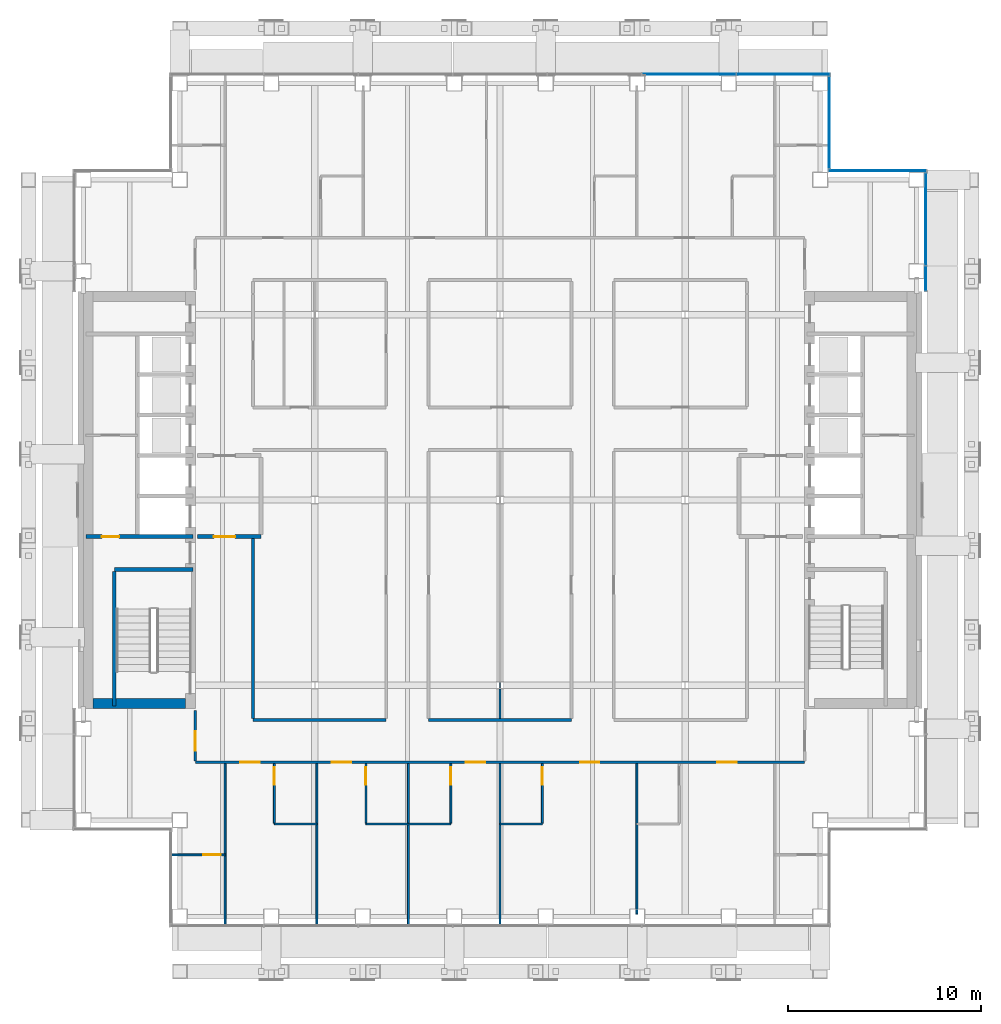
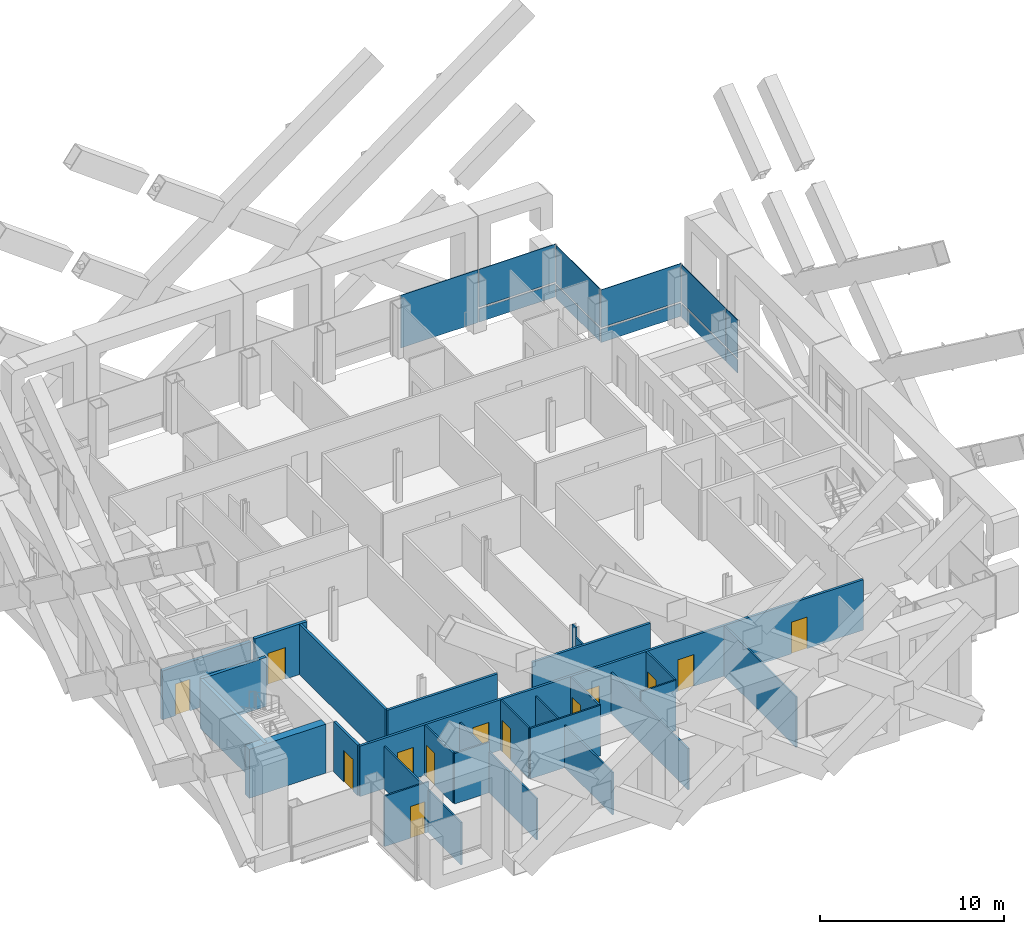
# One storey, part 13 of 25: 26 walls, 13 doors, 11 plates, 13 openings, 4 elements without a shape of their own.
"""IFC4 building model written with IfcOpenShell, lengths in metres."""

from ifc_helpers import new_model, si_unit, direction, frame, frame_2d, origin, origin_2d, place, context, subcontext, project, spatial, rectangle, extrude, material, layer, layer_set, type_object, element, fill, aggregate, save


model = new_model("IFC4")

# Units and contexts
model_context = context("Model", 3, precision=1e-05, world=origin(), true_north=direction((0.0, 1.0)))
body_context = subcontext(model_context, "Body", "Model", "MODEL_VIEW")
ifc_project = project(units=[si_unit("LENGTHUNIT", "METRE"), si_unit("AREAUNIT", "SQUARE_METRE"), si_unit("VOLUMEUNIT", "CUBIC_METRE"), si_unit("PLANEANGLEUNIT", "RADIAN"), si_unit("MASSUNIT", "GRAM", prefix="KILO")], contexts=[model_context])

# Site, building, storey
site_placement = place(None, origin())
site = spatial("IfcSite", under=ifc_project, at=site_placement, CompositionType="ELEMENT")
building_placement = place(site_placement, origin())
building = spatial("IfcBuilding", under=site, at=building_placement, Name="Cobrizo Arcos Hotel Tower", CompositionType="ELEMENT")
storey_placement = place(building_placement, frame((0.0, 0.0, 148.0)))
storey = spatial("IfcBuildingStorey", under=building, at=storey_placement, Name="L37", CompositionType="ELEMENT", Elevation=148.0)

# Curtain wall, plates
ifc_material_1 = material(Name="Aluminium 6063-T6 anodised bronze", Category="aluminium")
curtain_wall_type = type_object("IfcCurtainWallType", Name="CW-A guest facade", PredefinedType="NOTDEFINED", material=ifc_material_1)
curtain_wall_1_placement = place(storey_placement, origin())
curtain_wall_1 = element("IfcCurtainWall", 1, at=curtain_wall_1_placement, inside=storey, type_object=curtain_wall_type, Name="CW-A L37 E face", PredefinedType="NOTDEFINED")
ifc_material_2 = material(Name="Glass clear laminated low-e", Category="glass")
ifc_layer_1 = layer(ifc_material_2, 0.0400390625)
ifc_layer_set_1 = layer_set([ifc_layer_1], Name="CW-A glass panel")
plate_type_1 = type_object("IfcPlateType", Name="CW-A glass panel", PredefinedType="CURTAIN_PANEL", material=ifc_layer_set_1)
plate_1_placement = place(storey_placement, frame((22.074951171875, 11.486328125, 0.990234375), z_axis=(0.0, 0.0, 1.0), x_axis=(0.0, 1.0, 0.0)))
plate_1 = element("IfcPlate", 2, at=plate_1_placement, type_object=plate_type_1, Name="CW-A glass panel 1347", PredefinedType="CURTAIN_PANEL", context=body_context, shape_type="SweptSolid", body=[
    extrude(rectangle(XDim=1.2529296875, YDim=0.0400390625, at=origin_2d()), origin(), (0.0, 0.0, 1.0), 2.510009765625),
])
plate_2_placement = place(storey_placement, frame((22.074951171875, 14.556396484375, 0.990234375), z_axis=(0.0, 0.0, 1.0), x_axis=(0.0, 1.0, 0.0)))
plate_2 = element("IfcPlate", 3, at=plate_2_placement, type_object=plate_type_1, Name="CW-A glass panel 1348", PredefinedType="CURTAIN_PANEL", context=body_context, shape_type="SweptSolid", body=[
    extrude(rectangle(XDim=4.76708984375, YDim=0.0400390625, at=origin_2d()), origin(), (0.0, 0.0, 1.0), 2.510009765625),
])

# Curtain wall, plate
curtain_wall_2_placement = place(storey_placement, origin())
curtain_wall_2 = element("IfcCurtainWall", 4, at=curtain_wall_2_placement, inside=storey, type_object=curtain_wall_type, Name="CW-A L37 N face", PredefinedType="NOTDEFINED")
plate_3_placement = place(storey_placement, frame((19.574951171875, 17.074951171875, 0.990234375), z_axis=(0.0, 0.0, 1.0), x_axis=(-1.0, 0.0, 0.0)))
plate_3 = element("IfcPlate", 5, at=plate_3_placement, type_object=plate_type_1, Name="CW-A glass panel 1349", PredefinedType="CURTAIN_PANEL", context=body_context, shape_type="SweptSolid", body=[
    extrude(rectangle(XDim=5.030029296875, YDim=0.0400390625, at=origin_2d()), origin(), (0.0, 0.0, 1.0), 2.510009765625),
])

curtain_wall_3_placement = place(storey_placement, origin())
curtain_wall_3 = element("IfcCurtainWall", 6, at=curtain_wall_3_placement, inside=storey, type_object=curtain_wall_type, Name="CW-A L37 E face", PredefinedType="NOTDEFINED")
plate_4_placement = place(storey_placement, frame((17.074951171875, 19.574951171875, 0.990234375), z_axis=(0.0, 0.0, 1.0), x_axis=(0.0, 1.0, 0.0)))
plate_4 = element("IfcPlate", 7, at=plate_4_placement, type_object=plate_type_1, Name="CW-A glass panel 1350", PredefinedType="CURTAIN_PANEL", context=body_context, shape_type="SweptSolid", body=[
    extrude(rectangle(XDim=4.72998046875, YDim=0.0400390625, at=origin_2d()), origin(), (0.0, 0.0, 1.0), 2.510009765625),
])

curtain_wall_4_placement = place(storey_placement, origin())
curtain_wall_4 = element("IfcCurtainWall", 8, at=curtain_wall_4_placement, inside=storey, type_object=curtain_wall_type, Name="CW-A L37 N face", PredefinedType="NOTDEFINED")
plate_5_placement = place(storey_placement, frame((14.68505859375, 22.074951171875, 0.990234375), z_axis=(0.0, 0.0, 1.0), x_axis=(-1.0, 0.0, 0.0)))
plate_5 = element("IfcPlate", 9, at=plate_5_placement, type_object=plate_type_1, Name="CW-A glass panel 1351", PredefinedType="CURTAIN_PANEL", context=body_context, shape_type="SweptSolid", body=[
    extrude(rectangle(XDim=4.81005859375, YDim=0.0400390625, at=origin_2d()), origin(), (0.0, 0.0, 1.0), 2.510009765625),
])

# Plate
ifc_material_3 = material(Name="Aluminium composite panel pale metal", Category="aluminium")
ifc_layer_2 = layer(ifc_material_3, 0.0400390625)
ifc_layer_set_2 = layer_set([ifc_layer_2], Name="CW-A spandrel panel")
plate_type_2 = type_object("IfcPlateType", Name="CW-A spandrel panel", PredefinedType="CURTAIN_PANEL", material=ifc_layer_set_2)
plate_6_placement = place(storey_placement, frame((22.074951171875, 11.486328125, 0.0), z_axis=(0.0, 0.0, 1.0), x_axis=(0.0, 1.0, 0.0)))
plate_6 = element("IfcPlate", 10, at=plate_6_placement, type_object=plate_type_2, Name="CW-A spandrel panel 1347", PredefinedType="CURTAIN_PANEL", context=body_context, shape_type="SweptSolid", body=[
    extrude(rectangle(XDim=1.2529296875, YDim=0.0400390625, at=origin_2d()), origin(), (0.0, 0.0, 1.0), 0.8701171875),
])

plate_7_placement = place(storey_placement, frame((22.074951171875, 14.556396484375, 0.0), z_axis=(0.0, 0.0, 1.0), x_axis=(0.0, 1.0, 0.0)))
plate_7 = element("IfcPlate", 11, at=plate_7_placement, type_object=plate_type_2, Name="CW-A spandrel panel 1348", PredefinedType="CURTAIN_PANEL", context=body_context, shape_type="SweptSolid", body=[
    extrude(rectangle(XDim=4.76708984375, YDim=0.0400390625, at=origin_2d()), origin(), (0.0, 0.0, 1.0), 0.8701171875),
])

aggregate(curtain_wall_1, [plate_6, plate_1, plate_7, plate_2])

plate_8_placement = place(storey_placement, frame((19.574951171875, 17.074951171875, 0.0), z_axis=(0.0, 0.0, 1.0), x_axis=(-1.0, 0.0, 0.0)))
plate_8 = element("IfcPlate", 12, at=plate_8_placement, type_object=plate_type_2, Name="CW-A spandrel panel 1349", PredefinedType="CURTAIN_PANEL", context=body_context, shape_type="SweptSolid", body=[
    extrude(rectangle(XDim=5.030029296875, YDim=0.0400390625, at=origin_2d()), origin(), (0.0, 0.0, 1.0), 0.8701171875),
])

aggregate(curtain_wall_2, [plate_8, plate_3])

plate_9_placement = place(storey_placement, frame((17.074951171875, 19.574951171875, 0.0), z_axis=(0.0, 0.0, 1.0), x_axis=(0.0, 1.0, 0.0)))
plate_9 = element("IfcPlate", 13, at=plate_9_placement, type_object=plate_type_2, Name="CW-A spandrel panel 1350", PredefinedType="CURTAIN_PANEL", context=body_context, shape_type="SweptSolid", body=[
    extrude(rectangle(XDim=4.72998046875, YDim=0.0400390625, at=origin_2d()), origin(), (0.0, 0.0, 1.0), 0.8701171875),
])

aggregate(curtain_wall_3, [plate_9, plate_4])

plate_10_placement = place(storey_placement, frame((14.68505859375, 22.074951171875, 0.0), z_axis=(0.0, 0.0, 1.0), x_axis=(-1.0, 0.0, 0.0)))
plate_10 = element("IfcPlate", 14, at=plate_10_placement, type_object=plate_type_2, Name="CW-A spandrel panel 1351", PredefinedType="CURTAIN_PANEL", context=body_context, shape_type="SweptSolid", body=[
    extrude(rectangle(XDim=4.81005859375, YDim=0.0400390625, at=origin_2d()), origin(), (0.0, 0.0, 1.0), 0.8701171875),
])

plate_11_placement = place(storey_placement, frame((9.800048828125, 22.074951171875, 0.0), z_axis=(0.0, 0.0, 1.0), x_axis=(-1.0, 0.0, 0.0)))
plate_11 = element("IfcPlate", 15, at=plate_11_placement, type_object=plate_type_2, Name="CW-A spandrel panel 1352", PredefinedType="CURTAIN_PANEL", context=body_context, shape_type="SweptSolid", body=[
    extrude(rectangle(XDim=4.840087890625, YDim=0.0400390625, at=origin_2d()), origin(), (0.0, 0.0, 1.0), 3.5),
])

aggregate(curtain_wall_4, [plate_10, plate_5, plate_11])

# Wall, openings, doors
ifc_material_4 = material(Name="Gypsum board partition")
ifc_layer_3 = layer(ifc_material_4, 0.14990234375)
ifc_layer_set_3 = layer_set([ifc_layer_3], Name="Corridor wall EI 60 150")
wall_type_1 = type_object("IfcWallType", Name="Corridor wall EI 60 150", PredefinedType="PARTITIONING", material=ifc_layer_set_3)
wall_1_placement = place(storey_placement, frame((-15.800048828125, -13.60009765625, 0.0), z_axis=(0.0, 0.0, 1.0), x_axis=(1.0, 0.0, 0.0)))
wall_1 = element("IfcWall", 16, at=wall_1_placement, inside=storey, type_object=wall_type_1, Name="Partition 007", PredefinedType="PARTITIONING", context=body_context, shape_type="SweptSolid", body=[
    extrude(rectangle(XDim=31.60009765625, YDim=0.14990234375, at=frame_2d((15.800048828125, 0.0))), origin(), (0.0, 0.0, 1.0), 3.35009765625),
])
opening_1_placement = place(wall_1_placement, frame((2.343017578125, 0.0, 0.0)))
opening_1 = element("IfcOpeningElement", 17, at=opening_1_placement, cuts=wall_1, Name="Opening GD-04", PredefinedType="OPENING", context=body_context, shape_type="SweptSolid", body=[
    extrude(rectangle(XDim=1.0, YDim=2.10009765625, at=frame_2d((0.5, 1.050048828125))), frame((0.0, 0.0869140625, 0.0), z_axis=(0.0, -1.0, 0.0), x_axis=(1.0, 0.0, 0.0)), (0.0, 0.0, 1.0), 0.173828125),
])
opening_2_placement = place(wall_1_placement, frame((7.0849609375, 0.0, 0.0)))
opening_2 = element("IfcOpeningElement", 18, at=opening_2_placement, cuts=wall_1, Name="Opening GD-05", PredefinedType="OPENING", context=body_context, shape_type="SweptSolid", body=[
    extrude(rectangle(XDim=1.0, YDim=2.10009765625, at=frame_2d((0.5, 1.050048828125))), frame((0.0, 0.0869140625, 0.0), z_axis=(0.0, -1.0, 0.0), x_axis=(1.0, 0.0, 0.0)), (0.0, 0.0, 1.0), 0.173828125),
])
opening_3_placement = place(wall_1_placement, frame((14.029052734375, 0.0, 0.0)))
opening_3 = element("IfcOpeningElement", 19, at=opening_3_placement, cuts=wall_1, Name="Opening GD-06", PredefinedType="OPENING", context=body_context, shape_type="SweptSolid", body=[
    extrude(rectangle(XDim=1.0, YDim=2.10009765625, at=frame_2d((0.5, 1.050048828125))), frame((0.0, 0.0869140625, 0.0), z_axis=(0.0, -1.0, 0.0), x_axis=(1.0, 0.0, 0.0)), (0.0, 0.0, 1.0), 0.173828125),
])
opening_4_placement = place(wall_1_placement, frame((19.95703125, 0.0, 0.0)))
opening_4 = element("IfcOpeningElement", 20, at=opening_4_placement, cuts=wall_1, Name="Opening GD-07", PredefinedType="OPENING", context=body_context, shape_type="SweptSolid", body=[
    extrude(rectangle(XDim=1.0, YDim=2.10009765625, at=frame_2d((0.5, 1.050048828125))), frame((0.0, 0.0869140625, 0.0), z_axis=(0.0, -1.0, 0.0), x_axis=(1.0, 0.0, 0.0)), (0.0, 0.0, 1.0), 0.173828125),
])
opening_5_placement = place(wall_1_placement, frame((27.072021484375, 0.0, 0.0)))
opening_5 = element("IfcOpeningElement", 21, at=opening_5_placement, cuts=wall_1, Name="Opening GD-08", PredefinedType="OPENING", context=body_context, shape_type="SweptSolid", body=[
    extrude(rectangle(XDim=1.0, YDim=2.10009765625, at=frame_2d((0.5, 1.050048828125))), frame((0.0, 0.0869140625, 0.0), z_axis=(0.0, -1.0, 0.0), x_axis=(1.0, 0.0, 0.0)), (0.0, 0.0, 1.0), 0.173828125),
])
ifc_material_5 = material(Name="Timber door leaf", Category="wood")
door_type_1 = type_object("IfcDoorType", Name="Guest room door FD30S 1000x2100", OperationType="SINGLE_SWING_LEFT", PredefinedType="DOOR", material=ifc_material_5)
door_1_placement = place(opening_1_placement, origin())
door_1 = element("IfcDoor", 22, at=door_1_placement, inside=storey, type_object=door_type_1, Name="Door GD-04", OperationType="SINGLE_SWING_LEFT", OverallHeight=2.10009765625, OverallWidth=1.0, PredefinedType="DOOR", context=body_context, shape_type="SweptSolid", body=[
    extrude(rectangle(XDim=1.0, YDim=2.10009765625, at=frame_2d((0.5, 1.050048828125))), frame((0.0, 0.02490234375, 0.0), z_axis=(0.0, -1.0, 0.0), x_axis=(1.0, 0.0, 0.0)), (0.0, 0.0, 1.0), 0.050048828125),
])
fill(opening_1, door_1)
door_2_placement = place(opening_2_placement, origin())
door_2 = element("IfcDoor", 23, at=door_2_placement, inside=storey, type_object=door_type_1, Name="Door GD-05", OperationType="SINGLE_SWING_LEFT", OverallHeight=2.10009765625, OverallWidth=1.0, PredefinedType="DOOR", context=body_context, shape_type="SweptSolid", body=[
    extrude(rectangle(XDim=1.0, YDim=2.10009765625, at=frame_2d((0.5, 1.050048828125))), frame((0.0, 0.02490234375, 0.0), z_axis=(0.0, -1.0, 0.0), x_axis=(1.0, 0.0, 0.0)), (0.0, 0.0, 1.0), 0.050048828125),
])
fill(opening_2, door_2)
door_3_placement = place(opening_3_placement, origin())
door_3 = element("IfcDoor", 24, at=door_3_placement, inside=storey, type_object=door_type_1, Name="Door GD-06", OperationType="SINGLE_SWING_RIGHT", OverallHeight=2.10009765625, OverallWidth=1.0, PredefinedType="DOOR", context=body_context, shape_type="SweptSolid", body=[
    extrude(rectangle(XDim=1.0, YDim=2.10009765625, at=frame_2d((0.5, 1.050048828125))), frame((0.0, 0.02490234375, 0.0), z_axis=(0.0, -1.0, 0.0), x_axis=(1.0, 0.0, 0.0)), (0.0, 0.0, 1.0), 0.050048828125),
])
fill(opening_3, door_3)
door_4_placement = place(opening_4_placement, origin())
door_4 = element("IfcDoor", 25, at=door_4_placement, inside=storey, type_object=door_type_1, Name="Door GD-07", OperationType="SINGLE_SWING_RIGHT", OverallHeight=2.10009765625, OverallWidth=1.0, PredefinedType="DOOR", context=body_context, shape_type="SweptSolid", body=[
    extrude(rectangle(XDim=1.0, YDim=2.10009765625, at=frame_2d((0.5, 1.050048828125))), frame((0.0, 0.02490234375, 0.0), z_axis=(0.0, -1.0, 0.0), x_axis=(1.0, 0.0, 0.0)), (0.0, 0.0, 1.0), 0.050048828125),
])
fill(opening_4, door_4)
door_5_placement = place(opening_5_placement, origin())
door_5 = element("IfcDoor", 26, at=door_5_placement, inside=storey, type_object=door_type_1, Name="Door GD-08", OperationType="SINGLE_SWING_LEFT", OverallHeight=2.10009765625, OverallWidth=1.0, PredefinedType="DOOR", context=body_context, shape_type="SweptSolid", body=[
    extrude(rectangle(XDim=1.0, YDim=2.10009765625, at=frame_2d((0.5, 1.050048828125))), frame((0.0, 0.02490234375, 0.0), z_axis=(0.0, -1.0, 0.0), x_axis=(1.0, 0.0, 0.0)), (0.0, 0.0, 1.0), 0.050048828125),
])
fill(opening_5, door_5)

# Walls
wall_2_placement = place(storey_placement, frame((-12.800048828125, -11.39990234375, 0.0), z_axis=(0.0, 0.0, 1.0), x_axis=(1.0, 0.0, 0.0)))
element("IfcWall", 27, at=wall_2_placement, inside=storey, type_object=wall_type_1, Name="Partition 008", PredefinedType="PARTITIONING", context=body_context, shape_type="SweptSolid", body=[
    extrude(rectangle(XDim=6.900146484375, YDim=0.14990234375, at=frame_2d((3.4501953125, 0.0))), origin(), (0.0, 0.0, 1.0), 3.35009765625),
])
wall_3_placement = place(storey_placement, frame((-3.699951171875, -11.39990234375, 0.0), z_axis=(0.0, 0.0, 1.0), x_axis=(1.0, 0.0, 0.0)))
element("IfcWall", 28, at=wall_3_placement, inside=storey, type_object=wall_type_1, Name="Partition 009", PredefinedType="PARTITIONING", context=body_context, shape_type="SweptSolid", body=[
    extrude(rectangle(XDim=7.39990234375, YDim=0.14990234375, at=frame_2d((3.699951171875, 0.0))), origin(), (0.0, 0.0, 1.0), 3.35009765625),
])

# Wall, opening, door
wall_4_placement = place(storey_placement, frame((-15.800048828125, -13.52490234375, 0.0), z_axis=(0.0, 0.0, 1.0), x_axis=(0.0, 1.0, 0.0)))
wall_4 = element("IfcWall", 29, at=wall_4_placement, inside=storey, type_object=wall_type_1, Name="Partition 049", PredefinedType="PARTITIONING", context=body_context, shape_type="SweptSolid", body=[
    extrude(rectangle(XDim=2.60498046875, YDim=0.14990234375, at=frame_2d((1.302490234375, 0.0))), origin(), (0.0, 0.0, 1.0), 3.35009765625),
])
opening_6_placement = place(wall_4_placement, frame((0.52490234375, 0.0, 0.0)))
opening_6 = element("IfcOpeningElement", 30, at=opening_6_placement, cuts=wall_4, Name="Opening GD-09", PredefinedType="OPENING", context=body_context, shape_type="SweptSolid", body=[
    extrude(rectangle(XDim=1.0, YDim=2.10009765625, at=frame_2d((0.5, 1.050048828125))), frame((0.0, 0.0869140625, 0.0), z_axis=(0.0, -1.0, 0.0), x_axis=(1.0, 0.0, 0.0)), (0.0, 0.0, 1.0), 0.173828125),
])
door_6_placement = place(opening_6_placement, origin())
door_6 = element("IfcDoor", 31, at=door_6_placement, inside=storey, type_object=door_type_1, Name="Door GD-09", OperationType="SINGLE_SWING_RIGHT", OverallHeight=2.10009765625, OverallWidth=1.0, PredefinedType="DOOR", context=body_context, shape_type="SweptSolid", body=[
    extrude(rectangle(XDim=1.0, YDim=2.10009765625, at=frame_2d((0.5, 1.050048828125))), frame((0.0, 0.02490234375, 0.0), z_axis=(0.0, -1.0, 0.0), x_axis=(1.0, 0.0, 0.0)), (0.0, 0.0, 1.0), 0.050048828125),
])
fill(opening_6, door_6)

# Wall
wall_5_placement = place(storey_placement, frame((-12.800048828125, -11.324951171875, 0.0), z_axis=(0.0, 0.0, 1.0), x_axis=(0.0, 1.0, 0.0)))
element("IfcWall", 32, at=wall_5_placement, inside=storey, type_object=wall_type_1, Name="Partition 053", PredefinedType="PARTITIONING", context=body_context, shape_type="SweptSolid", body=[
    extrude(rectangle(XDim=9.324951171875, YDim=0.14990234375, at=frame_2d((4.66259765625, 0.0))), origin(), (0.0, 0.0, 1.0), 3.35009765625),
])

# Wall, opening, door
ifc_layer_4 = layer(ifc_material_4, 0.10009765625)
ifc_layer_set_4 = layer_set([ifc_layer_4], Name="Partition EI 30 100")
wall_type_2 = type_object("IfcWallType", Name="Partition EI 30 100", PredefinedType="PARTITIONING", material=ifc_layer_set_4)
wall_6_placement = place(storey_placement, frame((-17.030029296875, -18.39990234375, 0.0), z_axis=(0.0, 0.0, 1.0), x_axis=(1.0, 0.0, 0.0)))
wall_6 = element("IfcWall", 33, at=wall_6_placement, inside=storey, type_object=wall_type_2, Name="Partition 001", PredefinedType="PARTITIONING", context=body_context, shape_type="SweptSolid", body=[
    extrude(rectangle(XDim=2.780029296875, YDim=0.10009765625, at=frame_2d((1.39013671875, 0.0))), origin(), (0.0, 0.0, 1.0), 3.35009765625),
])
opening_7_placement = place(wall_6_placement, frame((1.639892578125, 0.0, 0.0)))
opening_7 = element("IfcOpeningElement", 34, at=opening_7_placement, cuts=wall_6, Name="Opening ED-09", PredefinedType="OPENING", context=body_context, shape_type="SweptSolid", body=[
    extrude(rectangle(XDim=0.89990234375, YDim=2.10009765625, at=frame_2d((0.449951171875, 1.050048828125))), frame((0.0, 0.06201171875, 0.0), z_axis=(0.0, -1.0, 0.0), x_axis=(1.0, 0.0, 0.0)), (0.0, 0.0, 1.0), 0.1240234375),
])
door_type_2 = type_object("IfcDoorType", Name="En-suite door 900x2100", OperationType="SINGLE_SWING_LEFT", PredefinedType="DOOR", material=ifc_material_5)
door_7_placement = place(opening_7_placement, origin())
door_7 = element("IfcDoor", 35, at=door_7_placement, inside=storey, type_object=door_type_2, Name="Door ED-09", OperationType="SINGLE_SWING_LEFT", OverallHeight=2.10009765625, OverallWidth=0.89990234375, PredefinedType="DOOR", context=body_context, shape_type="SweptSolid", body=[
    extrude(rectangle(XDim=0.89990234375, YDim=2.10009765625, at=frame_2d((0.449951171875, 1.050048828125))), frame((0.0, 0.02490234375, 0.0), z_axis=(0.0, -1.0, 0.0), x_axis=(1.0, 0.0, 0.0)), (0.0, 0.0, 1.0), 0.050048828125),
])
fill(opening_7, door_7)

# Walls
wall_7_placement = place(storey_placement, frame((-11.699951171875, -16.800048828125, 0.0), z_axis=(0.0, 0.0, 1.0), x_axis=(1.0, 0.0, 0.0)))
element("IfcWall", 36, at=wall_7_placement, inside=storey, type_object=wall_type_2, Name="Partition 003", PredefinedType="PARTITIONING", context=body_context, shape_type="SweptSolid", body=[
    extrude(rectangle(XDim=2.199951171875, YDim=0.10009765625, at=frame_2d((1.10009765625, 0.0))), origin(), (0.0, 0.0, 1.0), 3.35009765625),
])
wall_8_placement = place(storey_placement, frame((-6.949951171875, -16.800048828125, 0.0), z_axis=(0.0, 0.0, 1.0), x_axis=(1.0, 0.0, 0.0)))
element("IfcWall", 37, at=wall_8_placement, inside=storey, type_object=wall_type_2, Name="Partition 004", PredefinedType="PARTITIONING", context=body_context, shape_type="SweptSolid", body=[
    extrude(rectangle(XDim=4.39990234375, YDim=0.10009765625, at=frame_2d((2.199951171875, 0.0))), origin(), (0.0, 0.0, 1.0), 3.35009765625),
])
wall_9_placement = place(storey_placement, frame((0.0, -16.800048828125, 0.0), z_axis=(0.0, 0.0, 1.0), x_axis=(1.0, 0.0, 0.0)))
element("IfcWall", 38, at=wall_9_placement, inside=storey, type_object=wall_type_2, Name="Partition 005", PredefinedType="PARTITIONING", context=body_context, shape_type="SweptSolid", body=[
    extrude(rectangle(XDim=2.199951171875, YDim=0.10009765625, at=frame_2d((1.10009765625, 0.0))), origin(), (0.0, 0.0, 1.0), 3.35009765625),
])
wall_10_placement = place(storey_placement, frame((-14.25, -22.030029296875, 0.0), z_axis=(0.0, 0.0, 1.0), x_axis=(0.0, 1.0, 0.0)))
element("IfcWall", 39, at=wall_10_placement, inside=storey, type_object=wall_type_2, Name="Partition 051", PredefinedType="PARTITIONING", context=body_context, shape_type="SweptSolid", body=[
    extrude(rectangle(XDim=8.35498046875, YDim=0.10009765625, at=frame_2d((4.177490234375, 0.0))), origin(), (0.0, 0.0, 1.0), 2.81689453125),
])

# Wall, opening, door
wall_11_placement = place(storey_placement, frame((-11.699951171875, -16.75, 0.0), z_axis=(0.0, 0.0, 1.0), x_axis=(0.0, 1.0, 0.0)))
wall_11 = element("IfcWall", 40, at=wall_11_placement, inside=storey, type_object=wall_type_2, Name="Partition 057", PredefinedType="PARTITIONING", context=body_context, shape_type="SweptSolid", body=[
    extrude(rectangle(XDim=3.074951171875, YDim=0.10009765625, at=frame_2d((1.53759765625, 0.0))), origin(), (0.0, 0.0, 1.0), 3.35009765625),
])
opening_8_placement = place(wall_11_placement, frame((1.99609375, 0.0, 0.0)))
opening_8 = element("IfcOpeningElement", 41, at=opening_8_placement, cuts=wall_11, Name="Opening ED-04", PredefinedType="OPENING", context=body_context, shape_type="SweptSolid", body=[
    extrude(rectangle(XDim=0.89990234375, YDim=2.10009765625, at=frame_2d((0.449951171875, 1.050048828125))), frame((0.0, 0.06201171875, 0.0), z_axis=(0.0, -1.0, 0.0), x_axis=(1.0, 0.0, 0.0)), (0.0, 0.0, 1.0), 0.1240234375),
])
door_8_placement = place(opening_8_placement, origin())
door_8 = element("IfcDoor", 42, at=door_8_placement, inside=storey, type_object=door_type_2, Name="Door ED-04", OperationType="SINGLE_SWING_RIGHT", OverallHeight=2.10009765625, OverallWidth=0.89990234375, PredefinedType="DOOR", context=body_context, shape_type="SweptSolid", body=[
    extrude(rectangle(XDim=0.89990234375, YDim=2.10009765625, at=frame_2d((0.449951171875, 1.050048828125))), frame((0.0, 0.02490234375, 0.0), z_axis=(0.0, -1.0, 0.0), x_axis=(1.0, 0.0, 0.0)), (0.0, 0.0, 1.0), 0.050048828125),
])
fill(opening_8, door_8)

# Wall
wall_12_placement = place(storey_placement, frame((-9.5, -22.030029296875, 0.0), z_axis=(0.0, 0.0, 1.0), x_axis=(0.0, 1.0, 0.0)))
element("IfcWall", 43, at=wall_12_placement, inside=storey, type_object=wall_type_2, Name="Partition 062", PredefinedType="PARTITIONING", context=body_context, shape_type="SweptSolid", body=[
    extrude(rectangle(XDim=8.35498046875, YDim=0.10009765625, at=frame_2d((4.177490234375, 0.0))), origin(), (0.0, 0.0, 1.0), 2.72802734375),
])

# Wall, opening, door
wall_13_placement = place(storey_placement, frame((-6.949951171875, -16.75, 0.0), z_axis=(0.0, 0.0, 1.0), x_axis=(0.0, 1.0, 0.0)))
wall_13 = element("IfcWall", 44, at=wall_13_placement, inside=storey, type_object=wall_type_2, Name="Partition 065", PredefinedType="PARTITIONING", context=body_context, shape_type="SweptSolid", body=[
    extrude(rectangle(XDim=3.074951171875, YDim=0.10009765625, at=frame_2d((1.53759765625, 0.0))), origin(), (0.0, 0.0, 1.0), 3.35009765625),
])
opening_9_placement = place(wall_13_placement, frame((1.99609375, 0.0, 0.0)))
opening_9 = element("IfcOpeningElement", 45, at=opening_9_placement, cuts=wall_13, Name="Opening ED-05", PredefinedType="OPENING", context=body_context, shape_type="SweptSolid", body=[
    extrude(rectangle(XDim=0.89990234375, YDim=2.10009765625, at=frame_2d((0.449951171875, 1.050048828125))), frame((0.0, 0.06201171875, 0.0), z_axis=(0.0, -1.0, 0.0), x_axis=(1.0, 0.0, 0.0)), (0.0, 0.0, 1.0), 0.1240234375),
])
door_9_placement = place(opening_9_placement, origin())
door_9 = element("IfcDoor", 46, at=door_9_placement, inside=storey, type_object=door_type_2, Name="Door ED-05", OperationType="SINGLE_SWING_RIGHT", OverallHeight=2.10009765625, OverallWidth=0.89990234375, PredefinedType="DOOR", context=body_context, shape_type="SweptSolid", body=[
    extrude(rectangle(XDim=0.89990234375, YDim=2.10009765625, at=frame_2d((0.449951171875, 1.050048828125))), frame((0.0, 0.02490234375, 0.0), z_axis=(0.0, -1.0, 0.0), x_axis=(1.0, 0.0, 0.0)), (0.0, 0.0, 1.0), 0.050048828125),
])
fill(opening_9, door_9)

# Walls
wall_14_placement = place(storey_placement, frame((-4.75, -22.030029296875, 0.0), z_axis=(0.0, 0.0, 1.0), x_axis=(0.0, 1.0, 0.0)))
element("IfcWall", 47, at=wall_14_placement, inside=storey, type_object=wall_type_2, Name="Partition 068", PredefinedType="PARTITIONING", context=body_context, shape_type="SweptSolid", body=[
    extrude(rectangle(XDim=5.179931640625, YDim=0.10009765625, at=frame_2d((2.58984375, 0.0))), origin(), (0.0, 0.0, 1.0), 2.81689453125),
])
wall_15_placement = place(storey_placement, frame((-4.75, -16.75, 0.0), z_axis=(0.0, 0.0, 1.0), x_axis=(0.0, 1.0, 0.0)))
element("IfcWall", 48, at=wall_15_placement, inside=storey, type_object=wall_type_2, Name="Partition 069", PredefinedType="PARTITIONING", context=body_context, shape_type="SweptSolid", body=[
    extrude(rectangle(XDim=3.074951171875, YDim=0.10009765625, at=frame_2d((1.53759765625, 0.0))), origin(), (0.0, 0.0, 1.0), 2.81689453125),
])

# Wall, opening, door
wall_16_placement = place(storey_placement, frame((-2.550048828125, -16.75, 0.0), z_axis=(0.0, 0.0, 1.0), x_axis=(0.0, 1.0, 0.0)))
wall_16 = element("IfcWall", 49, at=wall_16_placement, inside=storey, type_object=wall_type_2, Name="Partition 072", PredefinedType="PARTITIONING", context=body_context, shape_type="SweptSolid", body=[
    extrude(rectangle(XDim=3.074951171875, YDim=0.10009765625, at=frame_2d((1.53759765625, 0.0))), origin(), (0.0, 0.0, 1.0), 3.35009765625),
])
opening_10_placement = place(wall_16_placement, frame((1.99609375, 0.0, 0.0)))
opening_10 = element("IfcOpeningElement", 50, at=opening_10_placement, cuts=wall_16, Name="Opening ED-06", PredefinedType="OPENING", context=body_context, shape_type="SweptSolid", body=[
    extrude(rectangle(XDim=0.89990234375, YDim=2.10009765625, at=frame_2d((0.449951171875, 1.050048828125))), frame((0.0, 0.06201171875, 0.0), z_axis=(0.0, -1.0, 0.0), x_axis=(1.0, 0.0, 0.0)), (0.0, 0.0, 1.0), 0.1240234375),
])
door_10_placement = place(opening_10_placement, origin())
door_10 = element("IfcDoor", 51, at=door_10_placement, inside=storey, type_object=door_type_2, Name="Door ED-06", OperationType="SINGLE_SWING_RIGHT", OverallHeight=2.10009765625, OverallWidth=0.89990234375, PredefinedType="DOOR", context=body_context, shape_type="SweptSolid", body=[
    extrude(rectangle(XDim=0.89990234375, YDim=2.10009765625, at=frame_2d((0.449951171875, 1.050048828125))), frame((0.0, 0.02490234375, 0.0), z_axis=(0.0, -1.0, 0.0), x_axis=(1.0, 0.0, 0.0)), (0.0, 0.0, 1.0), 0.050048828125),
])
fill(opening_10, door_10)

# Walls
wall_17_placement = place(storey_placement, frame((0.0, -22.030029296875, 0.0), z_axis=(0.0, 0.0, 1.0), x_axis=(0.0, 1.0, 0.0)))
element("IfcWall", 52, at=wall_17_placement, inside=storey, type_object=wall_type_2, Name="Partition 074", PredefinedType="PARTITIONING", context=body_context, shape_type="SweptSolid", body=[
    extrude(rectangle(XDim=8.35498046875, YDim=0.10009765625, at=frame_2d((4.177490234375, 0.0))), origin(), (0.0, 0.0, 1.0), 2.72802734375),
])
wall_18_placement = place(storey_placement, frame((0.0, -11.324951171875, 0.0), z_axis=(0.0, 0.0, 1.0), x_axis=(0.0, 1.0, 0.0)))
element("IfcWall", 53, at=wall_18_placement, inside=storey, type_object=wall_type_2, Name="Partition 075", PredefinedType="PARTITIONING", context=body_context, shape_type="SweptSolid", body=[
    extrude(rectangle(XDim=1.537841796875, YDim=0.10009765625, at=frame_2d((0.76904296875, 0.0))), origin(), (0.0, 0.0, 1.0), 2.72802734375),
])
wall_19_placement = place(storey_placement, frame((0.0, -9.787109375, 0.0), z_axis=(0.0, 0.0, 1.0), x_axis=(0.0, 1.0, 0.0)))
element("IfcWall", 54, at=wall_19_placement, inside=storey, type_object=wall_type_2, Name="Partition 076", PredefinedType="PARTITIONING", context=body_context, shape_type="SweptSolid", body=[
    extrude(rectangle(XDim=0.3740234375, YDim=0.10009765625, at=frame_2d((0.18701171875, 0.0))), origin(), (0.0, 0.0, 1.0), 3.35009765625),
])

# Wall, opening, door
wall_20_placement = place(storey_placement, frame((2.199951171875, -16.75, 0.0), z_axis=(0.0, 0.0, 1.0), x_axis=(0.0, 1.0, 0.0)))
wall_20 = element("IfcWall", 55, at=wall_20_placement, inside=storey, type_object=wall_type_2, Name="Partition 080", PredefinedType="PARTITIONING", context=body_context, shape_type="SweptSolid", body=[
    extrude(rectangle(XDim=3.074951171875, YDim=0.10009765625, at=frame_2d((1.53759765625, 0.0))), origin(), (0.0, 0.0, 1.0), 3.35009765625),
])
opening_11_placement = place(wall_20_placement, frame((1.99609375, 0.0, 0.0)))
opening_11 = element("IfcOpeningElement", 56, at=opening_11_placement, cuts=wall_20, Name="Opening ED-07", PredefinedType="OPENING", context=body_context, shape_type="SweptSolid", body=[
    extrude(rectangle(XDim=0.89990234375, YDim=2.10009765625, at=frame_2d((0.449951171875, 1.050048828125))), frame((0.0, 0.06201171875, 0.0), z_axis=(0.0, -1.0, 0.0), x_axis=(1.0, 0.0, 0.0)), (0.0, 0.0, 1.0), 0.1240234375),
])
door_11_placement = place(opening_11_placement, origin())
door_11 = element("IfcDoor", 57, at=door_11_placement, inside=storey, type_object=door_type_2, Name="Door ED-07", OperationType="SINGLE_SWING_LEFT", OverallHeight=2.10009765625, OverallWidth=0.89990234375, PredefinedType="DOOR", context=body_context, shape_type="SweptSolid", body=[
    extrude(rectangle(XDim=0.89990234375, YDim=2.10009765625, at=frame_2d((0.449951171875, 1.050048828125))), frame((0.0, 0.02490234375, 0.0), z_axis=(0.0, -1.0, 0.0), x_axis=(1.0, 0.0, 0.0)), (0.0, 0.0, 1.0), 0.050048828125),
])
fill(opening_11, door_11)

# Walls
wall_21_placement = place(storey_placement, frame((7.10009765625, -21.47998046875, 0.0), z_axis=(0.0, 0.0, 1.0), x_axis=(0.0, 1.0, 0.0)))
element("IfcWall", 58, at=wall_21_placement, inside=storey, type_object=wall_type_2, Name="Partition 086", PredefinedType="PARTITIONING", context=body_context, shape_type="SweptSolid", body=[
    extrude(rectangle(XDim=7.804931640625, YDim=0.10009765625, at=frame_2d((3.90234375, 0.0))), origin(), (0.0, 0.0, 1.0), 3.35009765625),
])
ifc_material_6 = material(Name="Concrete f'c 50 MPa", Category="concrete")
ifc_layer_5 = layer(ifc_material_6, 0.5)
ifc_layer_set_5 = layer_set([ifc_layer_5], Name="RC core wall 500 f'c 50")
wall_type_3 = type_object("IfcWallType", Name="RC core wall 500 f'c 50", PredefinedType="SHEAR", material=ifc_layer_set_5)
wall_22_placement = place(storey_placement, frame((-21.10009765625, -10.550048828125, 0.0), z_axis=(0.0, 0.0, 1.0), x_axis=(1.0, 0.0, 0.0)))
element("IfcWall", 59, at=wall_22_placement, inside=storey, type_object=wall_type_3, Name="Core wall CW3, west core, south end, L37", PredefinedType="SHEAR", context=body_context, shape_type="SweptSolid", body=[
    extrude(rectangle(XDim=4.800048828125, YDim=0.5, at=frame_2d((2.39990234375, 0.0))), origin(), (0.0, 0.0, 1.0), 3.25),
])

# Wall, opening, door
ifc_layer_6 = layer(ifc_material_4, 0.199951171875)
ifc_layer_set_6 = layer_set([ifc_layer_6], Name="Shaft wall EI 120 200")
wall_type_4 = type_object("IfcWallType", Name="Shaft wall EI 120 200", PredefinedType="PARTITIONING", material=ifc_layer_set_6)
wall_23_placement = place(storey_placement, frame((-21.47998046875, -1.89990234375, 0.0), z_axis=(0.0, 0.0, 1.0), x_axis=(1.0, 0.0, 0.0)))
wall_23 = element("IfcWall", 60, at=wall_23_placement, inside=storey, type_object=wall_type_4, Name="Partition 013", PredefinedType="PARTITIONING", context=body_context, shape_type="SweptSolid", body=[
    extrude(rectangle(XDim=5.56005859375, YDim=0.199951171875, at=frame_2d((2.780029296875, 0.0))), origin(), (0.0, 0.0, 1.0), 3.25),
])
opening_12_placement = place(wall_23_placement, frame((0.830078125, 0.0, 0.0)))
opening_12 = element("IfcOpeningElement", 61, at=opening_12_placement, cuts=wall_23, Name="Opening RD-02", PredefinedType="OPENING", context=body_context, shape_type="SweptSolid", body=[
    extrude(rectangle(XDim=0.89990234375, YDim=2.10009765625, at=frame_2d((0.449951171875, 1.050048828125))), frame((0.0, 0.112060546875, 0.0), z_axis=(0.0, -1.0, 0.0), x_axis=(1.0, 0.0, 0.0)), (0.0, 0.0, 1.0), 0.223876953125),
])
door_type_3 = type_object("IfcDoorType", Name="Room door FD30 900x2100", OperationType="SINGLE_SWING_LEFT", PredefinedType="DOOR", material=ifc_material_5)
door_12_placement = place(opening_12_placement, origin())
door_12 = element("IfcDoor", 62, at=door_12_placement, inside=storey, type_object=door_type_3, Name="Door RD-02", OperationType="SINGLE_SWING_RIGHT", OverallHeight=2.10009765625, OverallWidth=0.89990234375, PredefinedType="DOOR", context=body_context, shape_type="SweptSolid", body=[
    extrude(rectangle(XDim=0.89990234375, YDim=2.10009765625, at=frame_2d((0.449951171875, 1.050048828125))), frame((0.0, 0.02490234375, 0.0), z_axis=(0.0, -1.0, 0.0), x_axis=(1.0, 0.0, 0.0)), (0.0, 0.0, 1.0), 0.050048828125),
])
fill(opening_12, door_12)

wall_24_placement = place(storey_placement, frame((-15.679931640625, -1.89990234375, 0.0), z_axis=(0.0, 0.0, 1.0), x_axis=(1.0, 0.0, 0.0)))
wall_24 = element("IfcWall", 63, at=wall_24_placement, inside=storey, type_object=wall_type_4, Name="Partition 014", PredefinedType="PARTITIONING", context=body_context, shape_type="SweptSolid", body=[
    extrude(rectangle(XDim=3.280029296875, YDim=0.199951171875, at=frame_2d((1.64013671875, 0.0))), origin(), (0.0, 0.0, 1.0), 3.35009765625),
])
opening_13_placement = place(wall_24_placement, frame((0.840087890625, 0.0, 0.0)))
opening_13 = element("IfcOpeningElement", 64, at=opening_13_placement, cuts=wall_24, Name="Opening FD-03", PredefinedType="OPENING", context=body_context, shape_type="SweptSolid", body=[
    extrude(rectangle(XDim=1.10009765625, YDim=2.10009765625, at=frame_2d((0.550048828125, 1.050048828125))), frame((0.0, 0.112060546875, 0.0), z_axis=(0.0, -1.0, 0.0), x_axis=(1.0, 0.0, 0.0)), (0.0, 0.0, 1.0), 0.223876953125),
])
ifc_material_7 = material(Name="Steel door leaf", Category="steel")
door_type_4 = type_object("IfcDoorType", Name="Fire door FD60 1100x2100", OperationType="SINGLE_SWING_LEFT", PredefinedType="DOOR", material=ifc_material_7)
door_13_placement = place(opening_13_placement, origin())
door_13 = element("IfcDoor", 65, at=door_13_placement, inside=storey, type_object=door_type_4, Name="Door FD-03", OperationType="SINGLE_SWING_LEFT", OverallHeight=2.10009765625, OverallWidth=1.10009765625, PredefinedType="DOOR", context=body_context, shape_type="SweptSolid", body=[
    extrude(rectangle(XDim=1.10009765625, YDim=2.10009765625, at=frame_2d((0.550048828125, 1.050048828125))), frame((0.0, 0.02490234375, 0.0), z_axis=(0.0, -1.0, 0.0), x_axis=(1.0, 0.0, 0.0)), (0.0, 0.0, 1.0), 0.050048828125),
])
fill(opening_13, door_13)

# Walls
ifc_material_8 = material(Name="Concrete f'c 40 MPa", Category="concrete")
ifc_layer_7 = layer(ifc_material_8, 0.199951171875)
ifc_layer_set_7 = layer_set([ifc_layer_7], Name="Stair shaft wall 200")
wall_type_5 = type_object("IfcWallType", Name="Stair shaft wall 200", PredefinedType="SHEAR", material=ifc_layer_set_7)
wall_25_placement = place(storey_placement, frame((-20.0, -3.60009765625, 0.0), z_axis=(0.0, 0.0, 1.0), x_axis=(1.0, 0.0, 0.0)))
element("IfcWall", 66, at=wall_25_placement, inside=storey, type_object=wall_type_5, Name="Stair shaft wall W", PredefinedType="SHEAR", context=body_context, shape_type="SweptSolid", body=[
    extrude(rectangle(XDim=4.080078125, YDim=0.199951171875, at=frame_2d((2.0400390625, 0.0))), origin(), (0.0, 0.0, 1.0), 3.25),
])
wall_26_placement = place(storey_placement, frame((-20.0, -10.679931640625, 0.0), z_axis=(0.0, 0.0, 1.0), x_axis=(0.0, 1.0, 0.0)))
element("IfcWall", 67, at=wall_26_placement, inside=storey, type_object=wall_type_5, Name="Stair shaft wall W", PredefinedType="SHEAR", context=body_context, shape_type="SweptSolid", body=[
    extrude(rectangle(XDim=6.97998046875, YDim=0.199951171875, at=frame_2d((3.489990234375, 0.0))), origin(), (0.0, 0.0, 1.0), 3.25),
])

save(model, "model.ifc")
